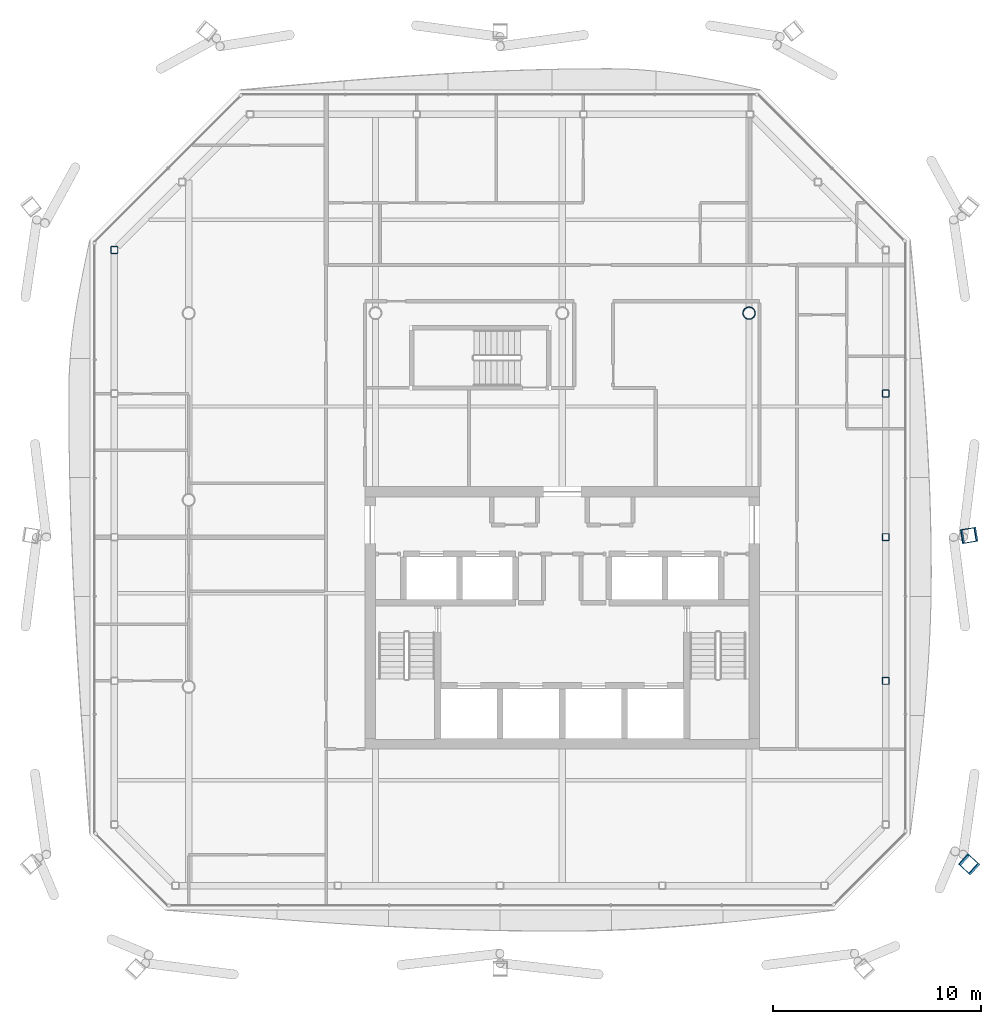
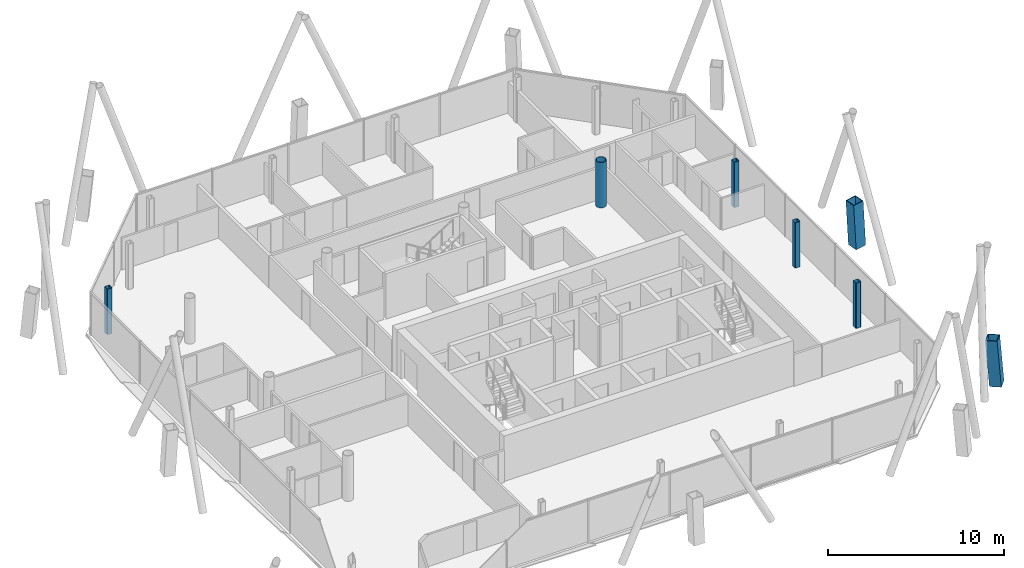
# One storey, part 2 of 20: 7 columns.
"""IFC4 building model written with IfcOpenShell, lengths in metres."""

from ifc_helpers import new_model, si_unit, direction, frame, origin, origin_2d, place, context, subcontext, project, spatial, hollow_rectangle, hollow_circle, extrude, material, material_profile, profile_set, type_object, element, save


model = new_model("IFC4")

# Units and contexts
model_context = context("Model", 3, precision=1e-05, world=origin(), true_north=direction((0.0, 1.0)))
body_context = subcontext(model_context, "Body", "Model", "MODEL_VIEW")
ifc_project = project(units=[si_unit("LENGTHUNIT", "METRE"), si_unit("AREAUNIT", "SQUARE_METRE"), si_unit("VOLUMEUNIT", "CUBIC_METRE"), si_unit("PLANEANGLEUNIT", "RADIAN"), si_unit("MASSUNIT", "GRAM", prefix="KILO")], contexts=[model_context])

# Site, building, storey
site_placement = place(None, origin())
site = spatial("IfcSite", under=ifc_project, at=site_placement, CompositionType="ELEMENT")
building_placement = place(site_placement, origin())
building = spatial("IfcBuilding", under=site, at=building_placement, Name="Tskaro Facet Tower", CompositionType="ELEMENT")
storey_placement = place(building_placement, frame((0.0, 0.0, 200.550048828125)))
storey = spatial("IfcBuildingStorey", under=building, at=storey_placement, Name="L51", CompositionType="ELEMENT", Elevation=200.550048828125)

# Columns
ifc_material_1 = material(Name="Steel S460M", Category="steel")
ifc_material_profile_1 = material_profile(ifc_material_1, hollow_rectangle(XDim=0.699951171875, YDim=0.699951171875, WallThickness=0.044921875, at=origin_2d()), Name="BOX 700x700x45")
ifc_profile_set_1 = profile_set([ifc_material_profile_1], Name="Steel S460M")
column_type_1 = type_object("IfcColumnType", Name="BOX 700x700x45 mega column", PredefinedType="COLUMN", material=ifc_profile_set_1)
column_1_placement = place(storey_placement, frame((19.633056640625, -17.583984375, 0.0), z_axis=(-0.057952390446, 0.052543500671, 0.996935655385), x_axis=(-0.671688891833, -0.74083333658, 0.0)))
element("IfcColumn", 1, at=column_1_placement, inside=storey, type_object=column_type_1, Name="BOX 700x700x45 MC04/4", PredefinedType="COLUMN", context=body_context, shape_type="SweptSolid", body=[
    extrude(hollow_rectangle(XDim=0.699951171875, YDim=0.699951171875, WallThickness=0.044921875, at=origin_2d()), origin(), (0.0, 0.0, 1.0), 3.15966796875),
])
column_2_placement = place(storey_placement, frame((19.633056640625, -1.7041015625, 0.0), z_axis=(-0.058029968966, -0.009439541618, 0.998270212796), x_axis=(0.160556339519, -0.98702667737, 0.0)))
element("IfcColumn", 2, at=column_2_placement, inside=storey, type_object=column_type_1, Name="BOX 700x700x45 MC05/4", PredefinedType="COLUMN", context=body_context, shape_type="SweptSolid", body=[
    extrude(hollow_rectangle(XDim=0.699951171875, YDim=0.699951171875, WallThickness=0.044921875, at=origin_2d()), origin(), (0.0, 0.0, 1.0), 3.1552734375),
])
ifc_material_2 = material(Name="Steel S355J2H", Category="steel")
ifc_material_profile_2 = material_profile(ifc_material_2, hollow_circle(Radius=0.304931640625, WallThickness=0.030029296875, at=origin_2d()), Name="CHS 610x30")
ifc_profile_set_2 = profile_set([ifc_material_profile_2], Name="Steel S355J2H")
column_type_2 = type_object("IfcColumnType", Name="CHS 610x30 interior column", PredefinedType="COLUMN", material=ifc_profile_set_2)
column_3_placement = place(storey_placement, frame((9.0, 9.0, 0.0), z_axis=(0.0, 0.0, 1.0), x_axis=(1.0, 0.0, 0.0)))
element("IfcColumn", 3, at=column_3_placement, inside=storey, type_object=column_type_2, Name="CHS 610x30 C5E/4", PredefinedType="COLUMN", context=body_context, shape_type="SweptSolid", body=[
    extrude(hollow_circle(Radius=0.304931640625, WallThickness=0.030029296875, at=origin_2d()), origin(), (0.0, 0.0, 1.0), 3.14990234375),
])
ifc_material_profile_3 = material_profile(ifc_material_2, hollow_rectangle(XDim=0.35009765625, YDim=0.35009765625, WallThickness=0.02001953125, InnerFilletRadius=0.030029296875, OuterFilletRadius=0.050048828125, at=origin_2d()), Name="SHS 350x350x20")
ifc_profile_set_3 = profile_set([ifc_material_profile_3], Name="Steel S355J2H")
column_type_3 = type_object("IfcColumnType", Name="SHS 350x350x20 ring column", PredefinedType="COLUMN", material=ifc_profile_set_3)
for number, where, z_axis, x_axis, name in (
    (4, (15.5830078125, -8.712890625, 0.0), (0.0, 0.0, 1.0), (1.0, 0.0, 0.0), "SHS 350x350x20 RE-2/4"),
    (5, (15.5830078125, -1.79296875, 0.0), (0.0, 0.0, 1.0), (1.0, 0.0, 0.0), "SHS 350x350x20 RE-3/4"),
    (6, (15.5830078125, 5.1259765625, 0.0), (0.0, 0.0, 1.0), (1.0, 0.0, 0.0), "SHS 350x350x20 RE-4/4"),
    (7, (-21.5830078125, 12.0458984375, 0.0), (0.0, 0.0, 1.0), (1.0, 0.0, 0.0), "SHS 350x350x20 RW-1/4"),
):
    element("IfcColumn", number, at=place(storey_placement, frame(where, z_axis=z_axis, x_axis=x_axis)), inside=storey, type_object=column_type_3, Name=name, PredefinedType="COLUMN", context=body_context, shape_type="SweptSolid", body=[
        extrude(hollow_rectangle(XDim=0.35009765625, YDim=0.35009765625, WallThickness=0.02001953125, InnerFilletRadius=0.030029296875, OuterFilletRadius=0.050048828125, at=origin_2d()), origin(), (0.0, 0.0, 1.0), 3.14990234375),
    ])

save(model, "model.ifc")
